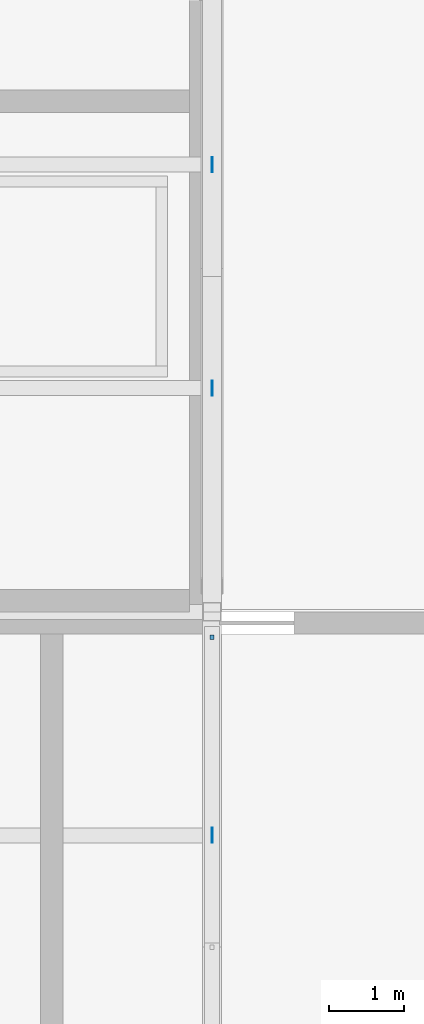
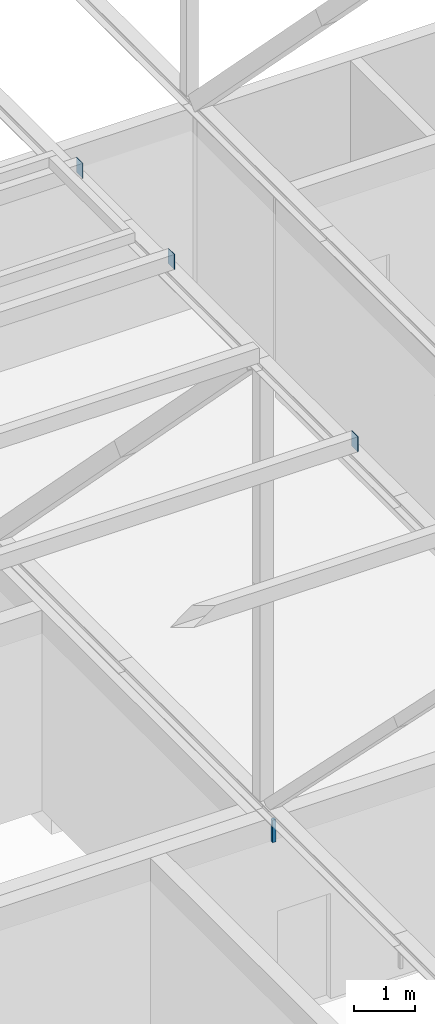
# One storey, part 184 of 646: 4 discrete accessories.
"""IFC4 building model written with IfcOpenShell, lengths in metres."""

import ifcopenshell
import ifcopenshell.guid

model = None  # the IFC model being written
_history = None  # IfcOwnerHistory: only IFC2X3 demands one
_inside = {}  # id of a spatial element -> (the spatial element, [elements in it])
_under = {}  # id of a project, library or spatial element -> (it, [spatial elements below it])
_declared = {}  # id of a project -> (the project, [libraries it declares])
_typed = {}  # id of a type object -> (the type object, [elements of that type])
_made_of = {}  # id of a material, layer set ... -> (it, [elements and type objects made of it])


def new_model(schema):
    """Start an empty IFC model of exactly this schema.

    Asked for "IFC4X3", IfcOpenShell would pick the latest addendum, in which some entities
    have other attributes; the version numbers below select the first issue.
    IFC2X3 requires an IfcOwnerHistory on every rooted entity: one is made here for all.
    """
    global model, _history
    if schema == "IFC4X3":
        model = ifcopenshell.file(schema_version=(4, 3, 0, 0))
    else:
        model = ifcopenshell.file(schema=schema)
    _inside.clear()
    _under.clear()
    _declared.clear()
    _typed.clear()
    _made_of.clear()
    _history = None
    if model.schema == "IFC2X3":
        org = make("IfcOrganization", Name="unknown")
        user = make(
            "IfcPersonAndOrganization",
            ThePerson=make("IfcPerson", FamilyName="unknown"),
            TheOrganization=org,
        )
        app = make(
            "IfcApplication",
            ApplicationDeveloper=org,
            Version="unknown",
            ApplicationFullName="unknown",
            ApplicationIdentifier="unknown",
        )
        _history = make(
            "IfcOwnerHistory",
            OwningUser=user,
            OwningApplication=app,
            ChangeAction="ADDED",
            CreationDate=0,
        )
    return model


def make(cls, **values):
    """One entity of the class cls with the attributes given. An attribute that is None is left unset."""
    return model.create_entity(
        cls, **{name: value for name, value in values.items() if value is not None}
    )


def rooted(cls, **values):
    """An entity with a GlobalId (a new one), such as an element, a storey or a relation."""
    return make(cls, GlobalId=ifcopenshell.guid.new(), OwnerHistory=_history, **values)


def si_unit(unit_type, name, prefix=None):
    """IfcSIUnit, for example si_unit("LENGTHUNIT", "METRE", prefix="MILLI")."""
    return make("IfcSIUnit", UnitType=unit_type, Prefix=prefix, Name=name)


def assignment(units):
    """IfcUnitAssignment: the units of a project."""
    return None if units is None else make("IfcUnitAssignment", Units=units)


def point(xyz):
    """IfcCartesianPoint."""
    return None if xyz is None else make("IfcCartesianPoint", Coordinates=xyz)


def direction(xyz):
    """IfcDirection."""
    return None if xyz is None else make("IfcDirection", DirectionRatios=xyz)


def frame(location, z_axis=None, x_axis=None):
    """IfcAxis2Placement3D, a coordinate frame: its origin and axes. An axis left out is left unset."""
    return make(
        "IfcAxis2Placement3D",
        Location=point(location),
        Axis=direction(z_axis),
        RefDirection=direction(x_axis),
    )


def frame_2d(location, x_axis=None):
    """IfcAxis2Placement2D, a coordinate frame in the plane: its origin and x axis."""
    return make(
        "IfcAxis2Placement2D", Location=point(location), RefDirection=direction(x_axis)
    )


def origin():
    """The frame at (0, 0, 0) with its axes left unset."""
    return frame((0.0, 0.0, 0.0))


def origin_2d():
    """The frame at (0, 0) in the plane with its x axis left unset."""
    return frame_2d((0.0, 0.0))


def place(relative_to, where):
    """IfcLocalPlacement: puts the frame where relative to a parent placement (None: the world)."""
    return make(
        "IfcLocalPlacement", PlacementRelTo=relative_to, RelativePlacement=where
    )


def context(
    kind, dimensions, precision=None, world=None, true_north=None, identifier=None
):
    """IfcGeometricRepresentationContext, for example the 3D "Model" context."""
    return make(
        "IfcGeometricRepresentationContext",
        ContextIdentifier=identifier,
        ContextType=kind,
        CoordinateSpaceDimension=dimensions,
        Precision=precision,
        WorldCoordinateSystem=world,
        TrueNorth=true_north,
    )


def subcontext(parent, identifier, kind, view, scale=None):
    """IfcGeometricRepresentationSubContext, for example "Body" below "Model"."""
    return make(
        "IfcGeometricRepresentationSubContext",
        ContextIdentifier=identifier,
        ContextType=kind,
        ParentContext=parent,
        TargetScale=scale,
        TargetView=view,
    )


def project(units=None, contexts=None):
    """IfcProject with its units and contexts."""
    return rooted(
        "IfcProject",
        Name="project",
        RepresentationContexts=contexts,
        UnitsInContext=assignment(units),
    )


def spatial(cls, under=None, at=None, **own):
    """A site, building, storey or space (cls), placed at a placement, below another one or the project."""
    s = rooted(cls, ObjectPlacement=at, **own)
    if under is not None:
        _under.setdefault(under.id(), (under, []))[1].append(s)
    return s


def profile(cls, at=None, kind="AREA", **sizes):
    """A parametric profile (cls). Its sizes go by their IFC names, for example OverallWidth=200.0."""
    return make(cls, ProfileType=kind, Position=at, **sizes)


def rectangle(**sizes):
    """IfcRectangleProfileDef."""
    return profile("IfcRectangleProfileDef", **sizes)


def extrude(swept, where, along, depth):
    """IfcExtrudedAreaSolid: the profile swept, set in the frame where, extruded along a direction by depth."""
    return make(
        "IfcExtrudedAreaSolid",
        SweptArea=swept,
        Position=where,
        ExtrudedDirection=direction(along),
        Depth=depth,
    )


def shape(context_of_items, identifier, shape_type, items):
    """IfcShapeRepresentation: the items that make up one representation, for example the "Body"."""
    return make(
        "IfcShapeRepresentation",
        ContextOfItems=context_of_items,
        RepresentationIdentifier=identifier,
        RepresentationType=shape_type,
        Items=items,
    )


def material(Name=None, Category=None):
    """IfcMaterial."""
    return make("IfcMaterial", Name=Name, Category=Category)


def layer(
    of_material, thickness, ventilated=None, Name=None, Category=None, Priority=None
):
    """IfcMaterialLayer: one layer of a wall or slab, of a material (None: an air gap)."""
    return make(
        "IfcMaterialLayer",
        Material=of_material,
        LayerThickness=thickness,
        IsVentilated=ventilated,
        Name=Name,
        Category=Category,
        Priority=Priority,
    )


def layer_set(layers, Name=None):
    """IfcMaterialLayerSet."""
    return make("IfcMaterialLayerSet", MaterialLayers=layers, LayerSetName=Name)


def made_of(thing, what):
    """Note that an element or type object is made of a material, layer set ...; save() writes the relation."""
    if what is not None:
        _made_of.setdefault(what.id(), (what, []))[1].append(thing)
    return thing


def type_object(cls, material=None, **own):
    """A type object (cls), such as IfcWallType, which elements share."""
    return made_of(rooted(cls, **own), material)


def element(
    cls,
    number,
    at=None,
    inside=None,
    cuts=None,
    type_object=None,
    material=None,
    context=None,
    identifier="Body",
    shape_type=None,
    held_by="IfcProductDefinitionShape",
    body=None,
    shapes=None,
    **own,
):
    """One element of the class cls, such as IfcWall. Its Tag is "e" and its number.

    at: its placement. inside: the storey or other place that contains it. cuts: it is an
    opening in that element (IfcRelVoidsElement). A single representation is given by context,
    identifier, shape_type and body (its items); several are given by shapes. held_by: the class
    of the entity that holds the representations. save() writes the other relations.
    """
    e = rooted(cls, Tag="e%d" % number, ObjectPlacement=at, **own)
    if body is not None:
        shapes = [shape(context, identifier, shape_type, body)]
    if shapes is not None:
        e.Representation = make(held_by, Representations=shapes)
    if inside is not None:
        _inside.setdefault(inside.id(), (inside, []))[1].append(e)
    if cuts is not None:
        rooted(
            "IfcRelVoidsElement", RelatingBuildingElement=cuts, RelatedOpeningElement=e
        )
    if type_object is not None:
        _typed.setdefault(type_object.id(), (type_object, []))[1].append(e)
    return made_of(e, material)


def aggregate(whole, parts):
    """IfcRelAggregates: a whole, such as a stair, and the parts it consists of."""
    return rooted("IfcRelAggregates", RelatingObject=whole, RelatedObjects=parts)


def save(model, path):
    """Write the relations noted so far, then the file.

    IfcRelAggregates (storeys below a building ...), IfcRelContainedInSpatialStructure (elements
    in a storey), IfcRelDefinesByType, IfcRelAssociatesMaterial and IfcRelDeclares: one each for
    every whole, place, type object, material and project.
    """
    for whole, parts in _under.values():
        aggregate(whole, parts)
    for where, things in _inside.values():
        rooted(
            "IfcRelContainedInSpatialStructure",
            RelatedElements=things,
            RelatingStructure=where,
        )
    for kind, things in _typed.values():
        rooted("IfcRelDefinesByType", RelatedObjects=things, RelatingType=kind)
    for what, things in _made_of.values():
        rooted("IfcRelAssociatesMaterial", RelatedObjects=things, RelatingMaterial=what)
    for by, libraries in _declared.values():
        rooted("IfcRelDeclares", RelatingContext=by, RelatedDefinitions=libraries)
    model.write(path)


model = new_model("IFC4")

# Units and contexts
model_context = context("Model", 3, precision=1e-05, world=origin(), true_north=direction((0.0, 1.0)))
body_context = subcontext(model_context, "Body", "Model", "MODEL_VIEW")
ifc_project = project(units=[si_unit("LENGTHUNIT", "METRE"), si_unit("AREAUNIT", "SQUARE_METRE"), si_unit("VOLUMEUNIT", "CUBIC_METRE"), si_unit("PLANEANGLEUNIT", "RADIAN"), si_unit("MASSUNIT", "GRAM", prefix="KILO")], contexts=[model_context])

# Site, building, storey
site_placement = place(None, origin())
site = spatial("IfcSite", under=ifc_project, at=site_placement, CompositionType="ELEMENT")
building_placement = place(site_placement, origin())
building = spatial("IfcBuilding", under=site, at=building_placement, Name="Silverbay Arena", CompositionType="ELEMENT")
storey_placement = place(building_placement, frame((0.0, 0.0, 33.5)))
storey = spatial("IfcBuildingStorey", under=building, at=storey_placement, Name="L05", CompositionType="ELEMENT", Elevation=33.5)

# Discrete accessories
ifc_material_1 = material(Name="Steel S355", Category="steel")
discrete_accessory_type_1 = type_object("IfcDiscreteAccessoryType", Name="Ceiling hanger", PredefinedType="BRACKET", material=ifc_material_1)
discrete_accessory_placement = place(storey_placement, frame((81.0, 44.659912109375, 3.5498046875), z_axis=(0.0, 0.0, 1.0), x_axis=(1.0, 0.0, 0.0)))
element("IfcDiscreteAccessory", 1, at=discrete_accessory_placement, inside=storey, type_object=discrete_accessory_type_1, Name="Ceiling hanger", PredefinedType="BRACKET", context=body_context, shape_type="SweptSolid", body=[
    extrude(rectangle(XDim=0.06005859375, YDim=0.06005859375, at=origin_2d()), origin(), (0.0, 0.0, 1.0), 0.449951171875),
])
ifc_material_2 = material(Name="Steel S355", Category="steel")
ifc_layer = layer(ifc_material_2, 0.011962890625)
ifc_layer_set = layer_set([ifc_layer], Name="Steel S355")
discrete_accessory_type_2 = type_object("IfcDiscreteAccessoryType", Name="Purlin end plate 12", PredefinedType="USERDEFINED", material=ifc_layer_set)
for number, where, z_axis, x_axis, name in (
    (2, (81.0, 42.0, 13.14990234375), (1.0, 0.0, 0.0), (0.0, 1.0, 0.0), "Purlin end plate"),
    (3, (81.0, 48.0, 13.14990234375), (1.0, 0.0, 0.0), (0.0, 1.0, 0.0), "Purlin end plate"),
    (4, (81.0, 51.0, 13.14990234375), (1.0, 0.0, 0.0), (0.0, 1.0, 0.0), "Purlin end plate"),
):
    element("IfcDiscreteAccessory", number, at=place(storey_placement, frame(where, z_axis=z_axis, x_axis=x_axis)), inside=storey, type_object=discrete_accessory_type_2, Name=name, ObjectType="END PLATE", PredefinedType="USERDEFINED", context=body_context, shape_type="SweptSolid", body=[
        extrude(rectangle(XDim=0.199951171875, YDim=0.300048828125, at=origin_2d()), origin(), (0.0, 0.0, 1.0), 0.011962890625),
    ])

save(model, "model.ifc")
